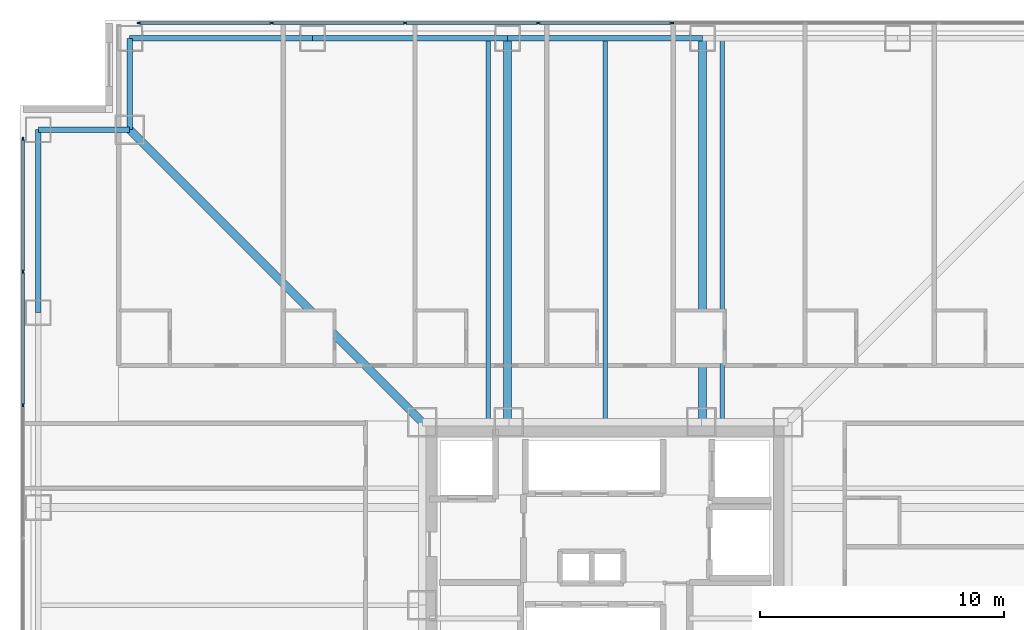
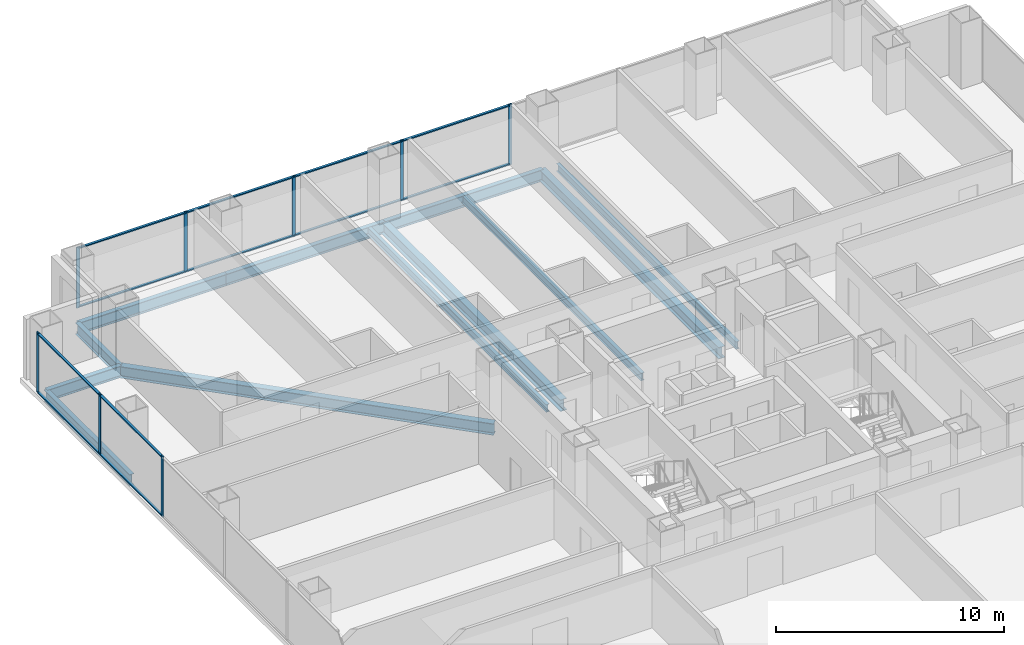
# One storey, part 8 of 16: 20 members, 12 beams, 2 elements without a shape of their own.
"""IFC4 building model written with IfcOpenShell, lengths in metres."""

from ifc_helpers import new_model, si_unit, direction, frame, origin, origin_2d, place, context, subcontext, project, spatial, rectangle, i_section, extrude, material, layer, layer_set, material_profile, profile_set, type_object, element, aggregate, save


model = new_model("IFC4")

# Units and contexts
model_context = context("Model", 3, precision=1e-05, world=origin(), true_north=direction((0.0, 1.0)))
body_context = subcontext(model_context, "Body", "Model", "MODEL_VIEW")
ifc_project = project(units=[si_unit("LENGTHUNIT", "METRE"), si_unit("AREAUNIT", "SQUARE_METRE"), si_unit("VOLUMEUNIT", "CUBIC_METRE"), si_unit("PLANEANGLEUNIT", "RADIAN"), si_unit("MASSUNIT", "GRAM", prefix="KILO")], contexts=[model_context])

# Site, building, storey
site_placement = place(None, origin())
site = spatial("IfcSite", under=ifc_project, at=site_placement, CompositionType="ELEMENT")
building_placement = place(site_placement, origin())
building = spatial("IfcBuilding", under=site, at=building_placement, Name="Trevonay Congress Spire", CompositionType="ELEMENT")
storey_placement = place(building_placement, frame((0.0, 0.0, 72.5)))
storey = spatial("IfcBuildingStorey", under=building, at=storey_placement, Name="L18", CompositionType="ELEMENT", Elevation=72.5)

# Beams
ifc_material_1 = material(Name="Steel ASTM A572 Grade 50", Category="steel")
ifc_material_profile_1 = material_profile(ifc_material_1, i_section(OverallWidth=0.324951171875, OverallDepth=0.615966796875, WebThickness=0.013916015625, FlangeThickness=0.021484375, FilletRadius=0.01806640625, at=origin_2d()), Name="W610x174")
ifc_profile_set_1 = profile_set([ifc_material_profile_1], Name="Steel ASTM A572 Grade 50")
beam_type_1 = type_object("IfcBeamType", Name="BM-GIRD-W610X174", PredefinedType="BEAM", material=ifc_profile_set_1)
beam_1_placement = place(storey_placement, frame((-7.5, 7.5, -0.55810546875), z_axis=(-0.707106781187, 0.707106781187, 0.0), x_axis=(-0.707106781187, -0.707106781187, 0.0)))
element("IfcBeam", 1, at=beam_1_placement, inside=storey, type_object=beam_type_1, Name="L18 structural beam BM-L18-CDNW", PredefinedType="BEAM", context=body_context, shape_type="SweptSolid", body=[
    extrude(i_section(OverallWidth=0.324951171875, OverallDepth=0.615966796875, WebThickness=0.013916015625, FlangeThickness=0.021484375, FilletRadius=0.01806640625, at=origin_2d()), origin(), (0.0, 0.0, 1.0), 16.970458984375),
])
for number, where, z_axis, x_axis, name in (
    (2, (-4.0, 7.5, -0.55810546875), (0.0, 1.0, 0.0), (-1.0, 0.0, 0.0), "L18 structural beam BM-L18-GN-M"),
    (3, (4.0, 7.5, -0.55810546875), (0.0, 1.0, 0.0), (-1.0, 0.0, 0.0), "L18 structural beam BM-L18-GN-P"),
):
    element("IfcBeam", number, at=place(storey_placement, frame(where, z_axis=z_axis, x_axis=x_axis)), inside=storey, type_object=beam_type_1, Name=name, PredefinedType="BEAM", context=body_context, shape_type="SweptSolid", body=[
        extrude(i_section(OverallWidth=0.324951171875, OverallDepth=0.615966796875, WebThickness=0.013916015625, FlangeThickness=0.021484375, FilletRadius=0.01806640625, at=origin_2d()), origin(), (0.0, 0.0, 1.0), 15.75),
    ])
ifc_material_profile_2 = material_profile(ifc_material_1, i_section(OverallWidth=0.22998046875, OverallDepth=0.616943359375, WebThickness=0.01318359375, FlangeThickness=0.022216796875, FilletRadius=0.01611328125, at=origin_2d()), Name="W610x140")
ifc_profile_set_2 = profile_set([ifc_material_profile_2], Name="Steel ASTM A572 Grade 50")
beam_type_2 = type_object("IfcBeamType", Name="BM-RING-W610X140", PredefinedType="BEAM", material=ifc_profile_set_2)
beam_2_placement = place(storey_placement, frame((-19.5, 23.25, -0.55859375), z_axis=(1.0, 0.0, 0.0), x_axis=(0.0, 1.0, 0.0)))
element("IfcBeam", 4, at=beam_2_placement, inside=storey, type_object=beam_type_2, Name="L18 structural beam BM-L18-PN1", PredefinedType="BEAM", context=body_context, shape_type="SweptSolid", body=[
    extrude(i_section(OverallWidth=0.22998046875, OverallDepth=0.616943359375, WebThickness=0.01318359375, FlangeThickness=0.022216796875, FilletRadius=0.01611328125, at=origin_2d()), origin(), (0.0, 0.0, 1.0), 7.5),
])
for number, where, z_axis, x_axis, name in (
    (5, (-12.0, 23.25, -0.55859375), (1.0, 0.0, 0.0), (0.0, 1.0, 0.0), "L18 structural beam BM-L18-PN2"),
    (6, (-4.0, 23.25, -0.55859375), (1.0, 0.0, 0.0), (0.0, 1.0, 0.0), "L18 structural beam BM-L18-PN3"),
):
    element("IfcBeam", number, at=place(storey_placement, frame(where, z_axis=z_axis, x_axis=x_axis)), inside=storey, type_object=beam_type_2, Name=name, PredefinedType="BEAM", context=body_context, shape_type="SweptSolid", body=[
        extrude(i_section(OverallWidth=0.22998046875, OverallDepth=0.616943359375, WebThickness=0.01318359375, FlangeThickness=0.022216796875, FilletRadius=0.01611328125, at=origin_2d()), origin(), (0.0, 0.0, 1.0), 8.0),
    ])
beam_3_placement = place(storey_placement, frame((-23.25, 12.0, -0.55859375), z_axis=(0.0, 1.0, 0.0), x_axis=(-1.0, 0.0, 0.0)))
element("IfcBeam", 7, at=beam_3_placement, inside=storey, type_object=beam_type_2, Name="L18 structural beam BM-L18-PW5", PredefinedType="BEAM", context=body_context, shape_type="SweptSolid", body=[
    extrude(i_section(OverallWidth=0.22998046875, OverallDepth=0.616943359375, WebThickness=0.01318359375, FlangeThickness=0.022216796875, FilletRadius=0.01611328125, at=origin_2d()), origin(), (0.0, 0.0, 1.0), 7.5),
])
for number, where, z_axis, x_axis, name in (
    (8, (-19.5, 23.25, -0.55859375), (0.0, -1.0, 0.0), (1.0, 0.0, 0.0), "L18 structural beam BM-L18-N1NW"),
    (9, (-23.25, 19.5, -0.55859375), (1.0, 0.0, 0.0), (0.0, 1.0, 0.0), "L18 structural beam BM-L18-N2NW"),
):
    element("IfcBeam", number, at=place(storey_placement, frame(where, z_axis=z_axis, x_axis=x_axis)), inside=storey, type_object=beam_type_2, Name=name, PredefinedType="BEAM", context=body_context, shape_type="SweptSolid", body=[
        extrude(i_section(OverallWidth=0.22998046875, OverallDepth=0.616943359375, WebThickness=0.01318359375, FlangeThickness=0.022216796875, FilletRadius=0.01611328125, at=origin_2d()), origin(), (0.0, 0.0, 1.0), 3.75),
    ])

# Curtain wall, members
ifc_material_2 = material(Name="Pale Anodised Aluminium EN AW-6063-T6", Category="aluminium")
ifc_layer = layer(ifc_material_2, 0.179931640625, Name="Pale Anodised Aluminium EN AW-6063-T6")
ifc_layer_set = layer_set([ifc_layer], Name="Pale Anodised Aluminium EN AW-6063-T6")
curtain_wall_type = type_object("IfcCurtainWallType", Name="CW-SYS02-HOTEL-PALE-METAL", PredefinedType="NOTDEFINED", material=ifc_layer_set)
curtain_wall_1_placement = place(storey_placement, origin())
curtain_wall_1 = element("IfcCurtainWall", 10, at=curtain_wall_1_placement, inside=storey, type_object=curtain_wall_type, Name="L18 N unitised curtain wall", PredefinedType="NOTDEFINED")
ifc_material_profile_3 = material_profile(ifc_material_2, rectangle(XDim=0.06005859375, YDim=0.159912109375, at=origin_2d()), Name="CW-MULLION-160-ALUMINIUM")
ifc_profile_set_3 = profile_set([ifc_material_profile_3], Name="Pale Anodised Aluminium EN AW-6063-T6")
member_type_1 = type_object("IfcMemberType", Name="CW-MULLION-160-ALUMINIUM", PredefinedType="MULLION", material=ifc_profile_set_3)
member_1_placement = place(storey_placement, frame((-19.1201171875, 23.8798828125, 0.0), z_axis=(0.0, 0.0, 1.0), x_axis=(0.0, 1.0, 0.0)))
member_1 = element("IfcMember", 11, at=member_1_placement, type_object=member_type_1, Name="CW02 mullion 1", PredefinedType="MULLION", context=body_context, shape_type="SweptSolid", body=[
    extrude(rectangle(XDim=0.06005859375, YDim=0.159912109375, at=origin_2d()), origin(), (0.0, 0.0, 1.0), 3.25),
])
member_2_placement = place(storey_placement, frame((-13.678466796875, 23.8798828125, 0.0), z_axis=(0.0, 0.0, 1.0), x_axis=(0.0, 1.0, 0.0)))
member_2 = element("IfcMember", 12, at=member_2_placement, type_object=member_type_1, Name="CW02 mullion 2", PredefinedType="MULLION", context=body_context, shape_type="SweptSolid", body=[
    extrude(rectangle(XDim=0.06005859375, YDim=0.159912109375, at=origin_2d()), origin(), (0.0, 0.0, 1.0), 3.25),
])
member_3_placement = place(storey_placement, frame((-8.20703125, 23.8798828125, 0.0), z_axis=(0.0, 0.0, 1.0), x_axis=(0.0, 1.0, 0.0)))
member_3 = element("IfcMember", 13, at=member_3_placement, type_object=member_type_1, Name="CW02 mullion 3", PredefinedType="MULLION", context=body_context, shape_type="SweptSolid", body=[
    extrude(rectangle(XDim=0.06005859375, YDim=0.159912109375, at=origin_2d()), origin(), (0.0, 0.0, 1.0), 3.25),
])
member_4_placement = place(storey_placement, frame((-2.735595703125, 23.8798828125, 0.0), z_axis=(0.0, 0.0, 1.0), x_axis=(0.0, 1.0, 0.0)))
member_4 = element("IfcMember", 14, at=member_4_placement, type_object=member_type_1, Name="CW02 mullion 4", PredefinedType="MULLION", context=body_context, shape_type="SweptSolid", body=[
    extrude(rectangle(XDim=0.06005859375, YDim=0.159912109375, at=origin_2d()), origin(), (0.0, 0.0, 1.0), 3.25),
])
member_5_placement = place(storey_placement, frame((2.735595703125, 23.8798828125, 0.0), z_axis=(0.0, 0.0, 1.0), x_axis=(0.0, 1.0, 0.0)))
member_5 = element("IfcMember", 15, at=member_5_placement, type_object=member_type_1, Name="CW02 mullion 5", PredefinedType="MULLION", context=body_context, shape_type="SweptSolid", body=[
    extrude(rectangle(XDim=0.06005859375, YDim=0.159912109375, at=origin_2d()), origin(), (0.0, 0.0, 1.0), 3.25),
])

curtain_wall_2_placement = place(storey_placement, origin())
curtain_wall_2 = element("IfcCurtainWall", 16, at=curtain_wall_2_placement, inside=storey, type_object=curtain_wall_type, Name="L18 W unitised curtain wall", PredefinedType="NOTDEFINED")
member_6_placement = place(storey_placement, frame((-23.8798828125, 8.20703125, 0.0), z_axis=(0.0, 0.0, 1.0), x_axis=(-1.0, 0.0, 0.0)))
member_6 = element("IfcMember", 17, at=member_6_placement, type_object=member_type_1, Name="CW02 mullion 6", PredefinedType="MULLION", context=body_context, shape_type="SweptSolid", body=[
    extrude(rectangle(XDim=0.06005859375, YDim=0.159912109375, at=origin_2d()), origin(), (0.0, 0.0, 1.0), 3.25),
])
member_7_placement = place(storey_placement, frame((-23.8798828125, 13.678466796875, 0.0), z_axis=(0.0, 0.0, 1.0), x_axis=(-1.0, 0.0, 0.0)))
member_7 = element("IfcMember", 18, at=member_7_placement, type_object=member_type_1, Name="CW02 mullion 7", PredefinedType="MULLION", context=body_context, shape_type="SweptSolid", body=[
    extrude(rectangle(XDim=0.06005859375, YDim=0.159912109375, at=origin_2d()), origin(), (0.0, 0.0, 1.0), 3.25),
])
member_8_placement = place(storey_placement, frame((-23.8798828125, 19.1201171875, 0.0), z_axis=(0.0, 0.0, 1.0), x_axis=(-1.0, 0.0, 0.0)))
member_8 = element("IfcMember", 19, at=member_8_placement, type_object=member_type_1, Name="CW02 mullion 8", PredefinedType="MULLION", context=body_context, shape_type="SweptSolid", body=[
    extrude(rectangle(XDim=0.06005859375, YDim=0.159912109375, at=origin_2d()), origin(), (0.0, 0.0, 1.0), 3.25),
])

# Member
ifc_material_profile_4 = material_profile(ifc_material_2, rectangle(XDim=0.1201171875, YDim=0.06005859375, at=origin_2d()), Name="CW-TRANSOM-120-ALUMINIUM")
ifc_profile_set_4 = profile_set([ifc_material_profile_4], Name="Pale Anodised Aluminium EN AW-6063-T6")
member_type_2 = type_object("IfcMemberType", Name="CW-TRANSOM-120-ALUMINIUM", PredefinedType="USERDEFINED", material=ifc_profile_set_4)
member_9_placement = place(storey_placement, frame((-19.090087890625, 23.8798828125, 0.06005859375), z_axis=(1.0, 0.0, 0.0), x_axis=(0.0, 1.0, 0.0)))
member_9 = element("IfcMember", 20, at=member_9_placement, type_object=member_type_2, Name="CW02 transom 1.1", ObjectType="TRANSOM", PredefinedType="USERDEFINED", context=body_context, shape_type="SweptSolid", body=[
    extrude(rectangle(XDim=0.1201171875, YDim=0.06005859375, at=origin_2d()), origin(), (0.0, 0.0, 1.0), 5.381591796875),
])

member_10_placement = place(storey_placement, frame((-19.090087890625, 23.8798828125, 3.18994140625), z_axis=(1.0, 0.0, 0.0), x_axis=(0.0, 1.0, 0.0)))
member_10 = element("IfcMember", 21, at=member_10_placement, type_object=member_type_2, Name="CW02 transom 1.2", ObjectType="TRANSOM", PredefinedType="USERDEFINED", context=body_context, shape_type="SweptSolid", body=[
    extrude(rectangle(XDim=0.1201171875, YDim=0.06005859375, at=origin_2d()), origin(), (0.0, 0.0, 1.0), 5.381591796875),
])

member_11_placement = place(storey_placement, frame((-13.648681640625, 23.8798828125, 0.06005859375), z_axis=(1.0, 0.0, 0.0), x_axis=(0.0, 1.0, 0.0)))
member_11 = element("IfcMember", 22, at=member_11_placement, type_object=member_type_2, Name="CW02 transom 2.1", ObjectType="TRANSOM", PredefinedType="USERDEFINED", context=body_context, shape_type="SweptSolid", body=[
    extrude(rectangle(XDim=0.1201171875, YDim=0.06005859375, at=origin_2d()), origin(), (0.0, 0.0, 1.0), 5.41162109375),
])

member_12_placement = place(storey_placement, frame((-13.648681640625, 23.8798828125, 3.18994140625), z_axis=(1.0, 0.0, 0.0), x_axis=(0.0, 1.0, 0.0)))
member_12 = element("IfcMember", 23, at=member_12_placement, type_object=member_type_2, Name="CW02 transom 2.2", ObjectType="TRANSOM", PredefinedType="USERDEFINED", context=body_context, shape_type="SweptSolid", body=[
    extrude(rectangle(XDim=0.1201171875, YDim=0.06005859375, at=origin_2d()), origin(), (0.0, 0.0, 1.0), 5.41162109375),
])

member_13_placement = place(storey_placement, frame((-8.17724609375, 23.8798828125, 0.06005859375), z_axis=(1.0, 0.0, 0.0), x_axis=(0.0, 1.0, 0.0)))
member_13 = element("IfcMember", 24, at=member_13_placement, type_object=member_type_2, Name="CW02 transom 3.1", ObjectType="TRANSOM", PredefinedType="USERDEFINED", context=body_context, shape_type="SweptSolid", body=[
    extrude(rectangle(XDim=0.1201171875, YDim=0.06005859375, at=origin_2d()), origin(), (0.0, 0.0, 1.0), 5.41162109375),
])

member_14_placement = place(storey_placement, frame((-8.17724609375, 23.8798828125, 3.18994140625), z_axis=(1.0, 0.0, 0.0), x_axis=(0.0, 1.0, 0.0)))
member_14 = element("IfcMember", 25, at=member_14_placement, type_object=member_type_2, Name="CW02 transom 3.2", ObjectType="TRANSOM", PredefinedType="USERDEFINED", context=body_context, shape_type="SweptSolid", body=[
    extrude(rectangle(XDim=0.1201171875, YDim=0.06005859375, at=origin_2d()), origin(), (0.0, 0.0, 1.0), 5.41162109375),
])

member_15_placement = place(storey_placement, frame((-2.705810546875, 23.8798828125, 0.06005859375), z_axis=(1.0, 0.0, 0.0), x_axis=(0.0, 1.0, 0.0)))
member_15 = element("IfcMember", 26, at=member_15_placement, type_object=member_type_2, Name="CW02 transom 4.1", ObjectType="TRANSOM", PredefinedType="USERDEFINED", context=body_context, shape_type="SweptSolid", body=[
    extrude(rectangle(XDim=0.1201171875, YDim=0.06005859375, at=origin_2d()), origin(), (0.0, 0.0, 1.0), 5.41162109375),
])

member_16_placement = place(storey_placement, frame((-2.705810546875, 23.8798828125, 3.18994140625), z_axis=(1.0, 0.0, 0.0), x_axis=(0.0, 1.0, 0.0)))
member_16 = element("IfcMember", 27, at=member_16_placement, type_object=member_type_2, Name="CW02 transom 4.2", ObjectType="TRANSOM", PredefinedType="USERDEFINED", context=body_context, shape_type="SweptSolid", body=[
    extrude(rectangle(XDim=0.1201171875, YDim=0.06005859375, at=origin_2d()), origin(), (0.0, 0.0, 1.0), 5.41162109375),
])

aggregate(curtain_wall_1, [member_1, member_2, member_3, member_4, member_5, member_9, member_10, member_11, member_12, member_13, member_14, member_15, member_16])

member_17_placement = place(storey_placement, frame((-23.8798828125, 8.237060546875, 0.06005859375), z_axis=(0.0, 1.0, 0.0), x_axis=(-1.0, 0.0, 0.0)))
member_17 = element("IfcMember", 28, at=member_17_placement, type_object=member_type_2, Name="CW02 transom 6.1", ObjectType="TRANSOM", PredefinedType="USERDEFINED", context=body_context, shape_type="SweptSolid", body=[
    extrude(rectangle(XDim=0.1201171875, YDim=0.06005859375, at=origin_2d()), origin(), (0.0, 0.0, 1.0), 5.41162109375),
])

member_18_placement = place(storey_placement, frame((-23.8798828125, 8.237060546875, 3.18994140625), z_axis=(0.0, 1.0, 0.0), x_axis=(-1.0, 0.0, 0.0)))
member_18 = element("IfcMember", 29, at=member_18_placement, type_object=member_type_2, Name="CW02 transom 6.2", ObjectType="TRANSOM", PredefinedType="USERDEFINED", context=body_context, shape_type="SweptSolid", body=[
    extrude(rectangle(XDim=0.1201171875, YDim=0.06005859375, at=origin_2d()), origin(), (0.0, 0.0, 1.0), 5.41162109375),
])

member_19_placement = place(storey_placement, frame((-23.8798828125, 13.70849609375, 0.06005859375), z_axis=(0.0, 1.0, 0.0), x_axis=(-1.0, 0.0, 0.0)))
member_19 = element("IfcMember", 30, at=member_19_placement, type_object=member_type_2, Name="CW02 transom 7.1", ObjectType="TRANSOM", PredefinedType="USERDEFINED", context=body_context, shape_type="SweptSolid", body=[
    extrude(rectangle(XDim=0.1201171875, YDim=0.06005859375, at=origin_2d()), origin(), (0.0, 0.0, 1.0), 5.381591796875),
])

member_20_placement = place(storey_placement, frame((-23.8798828125, 13.70849609375, 3.18994140625), z_axis=(0.0, 1.0, 0.0), x_axis=(-1.0, 0.0, 0.0)))
member_20 = element("IfcMember", 31, at=member_20_placement, type_object=member_type_2, Name="CW02 transom 7.2", ObjectType="TRANSOM", PredefinedType="USERDEFINED", context=body_context, shape_type="SweptSolid", body=[
    extrude(rectangle(XDim=0.1201171875, YDim=0.06005859375, at=origin_2d()), origin(), (0.0, 0.0, 1.0), 5.381591796875),
])

aggregate(curtain_wall_2, [member_6, member_7, member_8, member_17, member_18, member_19, member_20])

# Beams
ifc_material_profile_5 = material_profile(ifc_material_1, i_section(OverallWidth=0.177978515625, OverallDepth=0.406982421875, WebThickness=0.0078125, FlangeThickness=0.0126953125, FilletRadius=0.012939453125, at=origin_2d()), Name="W410x60")
ifc_profile_set_5 = profile_set([ifc_material_profile_5], Name="Steel ASTM A572 Grade 50")
beam_type_3 = type_object("IfcBeamType", Name="JS-COMP-W410X60", PredefinedType="JOIST", material=ifc_profile_set_5)
for number, where, z_axis, x_axis, name in (
    (32, (-4.800048828125, 7.5, -0.45361328125), (0.0, 1.0, 0.0), (-1.0, 0.0, 0.0), "L18 structural beam JS-L18-NS-N1"),
    (33, (0.0, 7.5, -0.45361328125), (0.0, 1.0, 0.0), (-1.0, 0.0, 0.0), "L18 structural beam JS-L18-NS-N2"),
    (34, (4.800048828125, 7.5, -0.45361328125), (0.0, 1.0, 0.0), (-1.0, 0.0, 0.0), "L18 structural beam JS-L18-NS-N3"),
):
    element("IfcBeam", number, at=place(storey_placement, frame(where, z_axis=z_axis, x_axis=x_axis)), inside=storey, type_object=beam_type_3, Name=name, PredefinedType="JOIST", context=body_context, shape_type="SweptSolid", body=[
        extrude(i_section(OverallWidth=0.177978515625, OverallDepth=0.406982421875, WebThickness=0.0078125, FlangeThickness=0.0126953125, FilletRadius=0.012939453125, at=origin_2d()), origin(), (0.0, 0.0, 1.0), 15.75),
    ])

save(model, "model.ifc")
